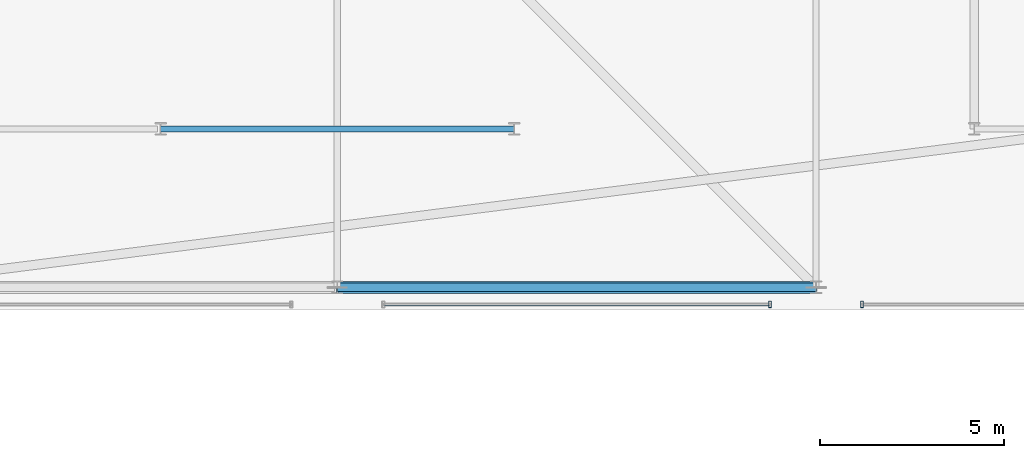
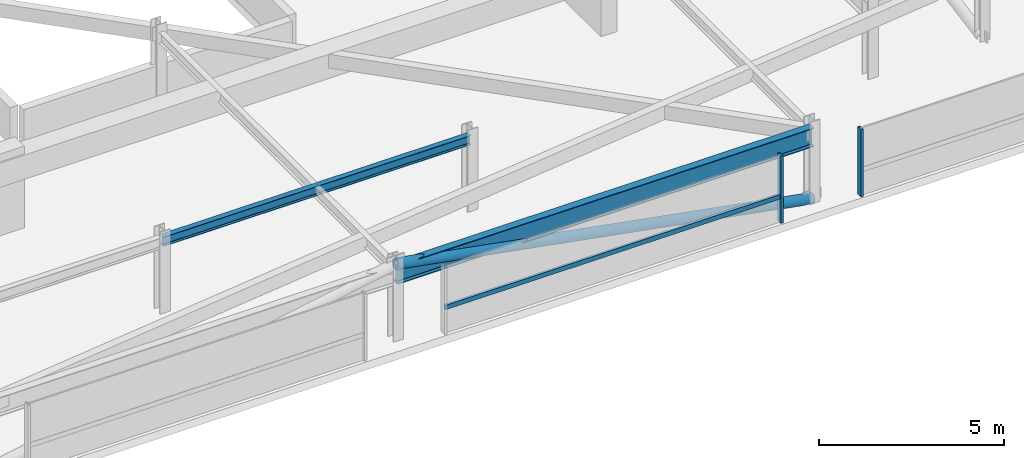
# One storey, part 29 of 42: 4 members, 2 beams, 2 elements without a shape of their own.
"""IFC4 building model written with IfcOpenShell, lengths in metres."""

import ifcopenshell
import ifcopenshell.guid

model = None  # the IFC model being written
_history = None  # IfcOwnerHistory: only IFC2X3 demands one
_inside = {}  # id of a spatial element -> (the spatial element, [elements in it])
_under = {}  # id of a project, library or spatial element -> (it, [spatial elements below it])
_declared = {}  # id of a project -> (the project, [libraries it declares])
_typed = {}  # id of a type object -> (the type object, [elements of that type])
_made_of = {}  # id of a material, layer set ... -> (it, [elements and type objects made of it])


def new_model(schema):
    """Start an empty IFC model of exactly this schema.

    Asked for "IFC4X3", IfcOpenShell would pick the latest addendum, in which some entities
    have other attributes; the version numbers below select the first issue.
    IFC2X3 requires an IfcOwnerHistory on every rooted entity: one is made here for all.
    """
    global model, _history
    if schema == "IFC4X3":
        model = ifcopenshell.file(schema_version=(4, 3, 0, 0))
    else:
        model = ifcopenshell.file(schema=schema)
    _inside.clear()
    _under.clear()
    _declared.clear()
    _typed.clear()
    _made_of.clear()
    _history = None
    if model.schema == "IFC2X3":
        org = make("IfcOrganization", Name="unknown")
        user = make(
            "IfcPersonAndOrganization",
            ThePerson=make("IfcPerson", FamilyName="unknown"),
            TheOrganization=org,
        )
        app = make(
            "IfcApplication",
            ApplicationDeveloper=org,
            Version="unknown",
            ApplicationFullName="unknown",
            ApplicationIdentifier="unknown",
        )
        _history = make(
            "IfcOwnerHistory",
            OwningUser=user,
            OwningApplication=app,
            ChangeAction="ADDED",
            CreationDate=0,
        )
    return model


def make(cls, **values):
    """One entity of the class cls with the attributes given. An attribute that is None is left unset."""
    return model.create_entity(
        cls, **{name: value for name, value in values.items() if value is not None}
    )


def rooted(cls, **values):
    """An entity with a GlobalId (a new one), such as an element, a storey or a relation."""
    return make(cls, GlobalId=ifcopenshell.guid.new(), OwnerHistory=_history, **values)


def si_unit(unit_type, name, prefix=None):
    """IfcSIUnit, for example si_unit("LENGTHUNIT", "METRE", prefix="MILLI")."""
    return make("IfcSIUnit", UnitType=unit_type, Prefix=prefix, Name=name)


def assignment(units):
    """IfcUnitAssignment: the units of a project."""
    return None if units is None else make("IfcUnitAssignment", Units=units)


def point(xyz):
    """IfcCartesianPoint."""
    return None if xyz is None else make("IfcCartesianPoint", Coordinates=xyz)


def direction(xyz):
    """IfcDirection."""
    return None if xyz is None else make("IfcDirection", DirectionRatios=xyz)


def frame(location, z_axis=None, x_axis=None):
    """IfcAxis2Placement3D, a coordinate frame: its origin and axes. An axis left out is left unset."""
    return make(
        "IfcAxis2Placement3D",
        Location=point(location),
        Axis=direction(z_axis),
        RefDirection=direction(x_axis),
    )


def frame_2d(location, x_axis=None):
    """IfcAxis2Placement2D, a coordinate frame in the plane: its origin and x axis."""
    return make(
        "IfcAxis2Placement2D", Location=point(location), RefDirection=direction(x_axis)
    )


def origin():
    """The frame at (0, 0, 0) with its axes left unset."""
    return frame((0.0, 0.0, 0.0))


def origin_2d():
    """The frame at (0, 0) in the plane with its x axis left unset."""
    return frame_2d((0.0, 0.0))


def place(relative_to, where):
    """IfcLocalPlacement: puts the frame where relative to a parent placement (None: the world)."""
    return make(
        "IfcLocalPlacement", PlacementRelTo=relative_to, RelativePlacement=where
    )


def context(
    kind, dimensions, precision=None, world=None, true_north=None, identifier=None
):
    """IfcGeometricRepresentationContext, for example the 3D "Model" context."""
    return make(
        "IfcGeometricRepresentationContext",
        ContextIdentifier=identifier,
        ContextType=kind,
        CoordinateSpaceDimension=dimensions,
        Precision=precision,
        WorldCoordinateSystem=world,
        TrueNorth=true_north,
    )


def subcontext(parent, identifier, kind, view, scale=None):
    """IfcGeometricRepresentationSubContext, for example "Body" below "Model"."""
    return make(
        "IfcGeometricRepresentationSubContext",
        ContextIdentifier=identifier,
        ContextType=kind,
        ParentContext=parent,
        TargetScale=scale,
        TargetView=view,
    )


def project(units=None, contexts=None):
    """IfcProject with its units and contexts."""
    return rooted(
        "IfcProject",
        Name="project",
        RepresentationContexts=contexts,
        UnitsInContext=assignment(units),
    )


def spatial(cls, under=None, at=None, **own):
    """A site, building, storey or space (cls), placed at a placement, below another one or the project."""
    s = rooted(cls, ObjectPlacement=at, **own)
    if under is not None:
        _under.setdefault(under.id(), (under, []))[1].append(s)
    return s


def profile(cls, at=None, kind="AREA", **sizes):
    """A parametric profile (cls). Its sizes go by their IFC names, for example OverallWidth=200.0."""
    return make(cls, ProfileType=kind, Position=at, **sizes)


def hollow_rectangle(**sizes):
    """IfcRectangleHollowProfileDef."""
    return profile("IfcRectangleHollowProfileDef", **sizes)


def hollow_circle(**sizes):
    """IfcCircleHollowProfileDef."""
    return profile("IfcCircleHollowProfileDef", **sizes)


def i_section(**sizes):
    """IfcIShapeProfileDef."""
    return profile("IfcIShapeProfileDef", **sizes)


def extrude(swept, where, along, depth):
    """IfcExtrudedAreaSolid: the profile swept, set in the frame where, extruded along a direction by depth."""
    return make(
        "IfcExtrudedAreaSolid",
        SweptArea=swept,
        Position=where,
        ExtrudedDirection=direction(along),
        Depth=depth,
    )


def shape(context_of_items, identifier, shape_type, items):
    """IfcShapeRepresentation: the items that make up one representation, for example the "Body"."""
    return make(
        "IfcShapeRepresentation",
        ContextOfItems=context_of_items,
        RepresentationIdentifier=identifier,
        RepresentationType=shape_type,
        Items=items,
    )


def material(Name=None, Category=None):
    """IfcMaterial."""
    return make("IfcMaterial", Name=Name, Category=Category)


def material_profile(
    of_material, cross_section, Name=None, Category=None, Priority=None
):
    """IfcMaterialProfile: a cross section and its material."""
    return make(
        "IfcMaterialProfile",
        Name=Name,
        Material=of_material,
        Profile=cross_section,
        Priority=Priority,
        Category=Category,
    )


def profile_set(profiles, Name=None, composite=None):
    """IfcMaterialProfileSet."""
    return make(
        "IfcMaterialProfileSet",
        Name=Name,
        MaterialProfiles=profiles,
        CompositeProfile=composite,
    )


def made_of(thing, what):
    """Note that an element or type object is made of a material, layer set ...; save() writes the relation."""
    if what is not None:
        _made_of.setdefault(what.id(), (what, []))[1].append(thing)
    return thing


def type_object(cls, material=None, **own):
    """A type object (cls), such as IfcWallType, which elements share."""
    return made_of(rooted(cls, **own), material)


def element(
    cls,
    number,
    at=None,
    inside=None,
    cuts=None,
    type_object=None,
    material=None,
    context=None,
    identifier="Body",
    shape_type=None,
    held_by="IfcProductDefinitionShape",
    body=None,
    shapes=None,
    **own,
):
    """One element of the class cls, such as IfcWall. Its Tag is "e" and its number.

    at: its placement. inside: the storey or other place that contains it. cuts: it is an
    opening in that element (IfcRelVoidsElement). A single representation is given by context,
    identifier, shape_type and body (its items); several are given by shapes. held_by: the class
    of the entity that holds the representations. save() writes the other relations.
    """
    e = rooted(cls, Tag="e%d" % number, ObjectPlacement=at, **own)
    if body is not None:
        shapes = [shape(context, identifier, shape_type, body)]
    if shapes is not None:
        e.Representation = make(held_by, Representations=shapes)
    if inside is not None:
        _inside.setdefault(inside.id(), (inside, []))[1].append(e)
    if cuts is not None:
        rooted(
            "IfcRelVoidsElement", RelatingBuildingElement=cuts, RelatedOpeningElement=e
        )
    if type_object is not None:
        _typed.setdefault(type_object.id(), (type_object, []))[1].append(e)
    return made_of(e, material)


def aggregate(whole, parts):
    """IfcRelAggregates: a whole, such as a stair, and the parts it consists of."""
    return rooted("IfcRelAggregates", RelatingObject=whole, RelatedObjects=parts)


def save(model, path):
    """Write the relations noted so far, then the file.

    IfcRelAggregates (storeys below a building ...), IfcRelContainedInSpatialStructure (elements
    in a storey), IfcRelDefinesByType, IfcRelAssociatesMaterial and IfcRelDeclares: one each for
    every whole, place, type object, material and project.
    """
    for whole, parts in _under.values():
        aggregate(whole, parts)
    for where, things in _inside.values():
        rooted(
            "IfcRelContainedInSpatialStructure",
            RelatedElements=things,
            RelatingStructure=where,
        )
    for kind, things in _typed.values():
        rooted("IfcRelDefinesByType", RelatedObjects=things, RelatingType=kind)
    for what, things in _made_of.values():
        rooted("IfcRelAssociatesMaterial", RelatedObjects=things, RelatingMaterial=what)
    for by, libraries in _declared.values():
        rooted("IfcRelDeclares", RelatingContext=by, RelatedDefinitions=libraries)
    model.write(path)


model = new_model("IFC4")

# Units and contexts
model_context = context("Model", 3, precision=1e-05, world=origin(), true_north=direction((0.0, 1.0)))
body_context = subcontext(model_context, "Body", "Model", "MODEL_VIEW")
ifc_project = project(units=[si_unit("LENGTHUNIT", "METRE"), si_unit("AREAUNIT", "SQUARE_METRE"), si_unit("VOLUMEUNIT", "CUBIC_METRE"), si_unit("PLANEANGLEUNIT", "RADIAN"), si_unit("MASSUNIT", "GRAM", prefix="KILO")], contexts=[model_context])

# Site, building, storey
site_placement = place(None, origin())
site = spatial("IfcSite", under=ifc_project, at=site_placement, CompositionType="ELEMENT")
building_placement = place(site_placement, origin())
building = spatial("IfcBuilding", under=site, at=building_placement, Name="Thornwick Lancets Civic Towers", CompositionType="ELEMENT")
storey_placement = place(building_placement, frame((0.0, 0.0, 284.10009765625)))
storey = spatial("IfcBuildingStorey", under=building, at=storey_placement, Name="C02", CompositionType="ELEMENT", Elevation=284.10009765625)

# Beams
ifc_material_1 = material(Name="Steel S355JR", Category="steel")
ifc_material_profile_1 = material_profile(ifc_material_1, i_section(OverallWidth=0.230224609375, OverallDepth=0.6171875, WebThickness=0.01318359375, FlangeThickness=0.022216796875, FilletRadius=0.0126953125, at=origin_2d()), Name="UKB 610x229x140")
ifc_profile_set_1 = profile_set([ifc_material_profile_1], Name="Steel S355JR")
beam_type_1 = type_object("IfcBeamType", Name="BM_GIRD_610_140", PredefinedType="BEAM", material=ifc_profile_set_1)
beam_1_placement = place(storey_placement, frame((101.5, 9.699951171875, 2.13134765625), z_axis=(-1.0, 0.0, 0.0), x_axis=(0.0, -1.0, 0.0)))
element("IfcBeam", 1, at=beam_1_placement, inside=storey, type_object=beam_type_1, Name="BM-SPINE-C02-B-9-10", PredefinedType="BEAM", context=body_context, shape_type="SweptSolid", body=[
    extrude(i_section(OverallWidth=0.230224609375, OverallDepth=0.6171875, WebThickness=0.01318359375, FlangeThickness=0.022216796875, FilletRadius=0.0126953125, at=origin_2d()), origin(), (0.0, 0.0, 1.0), 13.0),
])
ifc_material_profile_2 = material_profile(ifc_material_1, i_section(OverallWidth=0.1669921875, OverallDepth=0.310302734375, WebThickness=0.0078125, FlangeThickness=0.013671875, FilletRadius=0.0087890625, at=origin_2d()), Name="UKB 305x165x54")
ifc_profile_set_2 = profile_set([ifc_material_profile_2], Name="Steel S355JR")
beam_type_2 = type_object("IfcBeamType", Name="BM_LINTEL_305_54", PredefinedType="LINTEL", material=ifc_profile_set_2)
beam_2_placement = place(storey_placement, frame((93.300048828125, 14.0, 2.28466796875), z_axis=(-1.0, 0.0, 0.0), x_axis=(0.0, -1.0, 0.0)))
element("IfcBeam", 2, at=beam_2_placement, inside=storey, type_object=beam_type_2, Name="BM-INSP-C02-B-0-2", PredefinedType="LINTEL", context=body_context, shape_type="SweptSolid", body=[
    extrude(i_section(OverallWidth=0.1669921875, OverallDepth=0.310302734375, WebThickness=0.0078125, FlangeThickness=0.013671875, FilletRadius=0.0087890625, at=origin_2d()), origin(), (0.0, 0.0, 1.0), 9.60009765625),
])

# Curtain wall, member
ifc_material_2 = material(Name="Crown ring acoustic-louvre and glazing screen wall", Category="glass")
curtain_wall_type = type_object("IfcCurtainWallType", Name="CW_SYS_07", PredefinedType="NOTDEFINED", material=ifc_material_2)
curtain_wall_1_placement = place(storey_placement, origin())
curtain_wall_1 = element("IfcCurtainWall", 3, at=curtain_wall_1_placement, inside=storey, type_object=curtain_wall_type, Name="C02 Curtain Wall CW-C02-B-E0-S2", PredefinedType="NOTDEFINED")
ifc_material_3 = material(Name="Thermally broken bronze aluminium S355", Category="steel")
ifc_material_profile_3 = material_profile(ifc_material_3, hollow_rectangle(XDim=0.074951171875, YDim=0.179931640625, WallThickness=0.006103515625, at=origin_2d()), Name="RHS 180x75x6")
ifc_profile_set_3 = profile_set([ifc_material_profile_3], Name="Thermally broken bronze aluminium S355")
member_type_1 = type_object("IfcMemberType", Name="CW_MUL_180", PredefinedType="MULLION", material=ifc_profile_set_3)
member_1_placement = place(storey_placement, frame((100.25, 9.2353515625, 0.0), z_axis=(0.0, 0.0, 1.0), x_axis=(1.0, 0.0, 0.0)))
member_1 = element("IfcMember", 4, at=member_1_placement, type_object=member_type_1, Name="CW-C02-B-E0-S2 Mullion 1", PredefinedType="MULLION", context=body_context, shape_type="SweptSolid", body=[
    extrude(hollow_rectangle(XDim=0.074951171875, YDim=0.179931640625, WallThickness=0.006103515625, at=origin_2d()), origin(), (0.0, 0.0, 1.0), 2.219970703125),
])

curtain_wall_2_placement = place(storey_placement, origin())
curtain_wall_2 = element("IfcCurtainWall", 5, at=curtain_wall_2_placement, inside=storey, type_object=curtain_wall_type, Name="C02 Curtain Wall CW-C02-B-E0-S3", PredefinedType="NOTDEFINED")
member_2_placement = place(storey_placement, frame((102.75, 9.2353515625, 0.0), z_axis=(0.0, 0.0, 1.0), x_axis=(1.0, 0.0, 0.0)))
member_2 = element("IfcMember", 6, at=member_2_placement, type_object=member_type_1, Name="CW-C02-B-E0-S3 Mullion 0", PredefinedType="MULLION", context=body_context, shape_type="SweptSolid", body=[
    extrude(hollow_rectangle(XDim=0.074951171875, YDim=0.179931640625, WallThickness=0.006103515625, at=origin_2d()), origin(), (0.0, 0.0, 1.0), 2.219970703125),
])
aggregate(curtain_wall_2, [member_2])

# Member
ifc_material_profile_4 = material_profile(ifc_material_3, hollow_rectangle(XDim=0.074951171875, YDim=0.14990234375, WallThickness=0.0048828125, at=origin_2d()), Name="RHS 150x75x5")
ifc_profile_set_4 = profile_set([ifc_material_profile_4], Name="Thermally broken bronze aluminium S355")
member_type_2 = type_object("IfcMemberType", Name="CW_TRN_150", PredefinedType="USERDEFINED", material=ifc_profile_set_4)
member_3_placement = place(storey_placement, frame((89.77001953125, 9.2353515625, 0.849853515625), z_axis=(1.0, 0.0, 0.0), x_axis=(0.0, 1.0, 0.0)))
member_3 = element("IfcMember", 7, at=member_3_placement, type_object=member_type_2, Name="CW-C02-B-E0-S2 Transom 0", ObjectType="TRANSOM", PredefinedType="USERDEFINED", context=body_context, shape_type="SweptSolid", body=[
    extrude(hollow_rectangle(XDim=0.074951171875, YDim=0.14990234375, WallThickness=0.0048828125, at=origin_2d()), origin(), (0.0, 0.0, 1.0), 10.4599609375),
])

aggregate(curtain_wall_1, [member_1, member_3])

ifc_material_profile_5 = material_profile(ifc_material_1, hollow_circle(Radius=0.161865234375, WallThickness=0.01611328125, at=origin_2d()), Name="CHS 323.9x16")
ifc_profile_set_5 = profile_set([ifc_material_profile_5], Name="Steel S355JR")
member_type_3 = type_object("IfcMemberType", Name="MEM_CROWN_CHS324", PredefinedType="BRACE", material=ifc_profile_set_5)
member_4_placement = place(storey_placement, frame((101.5, 9.699951171875, 0.0498046875), z_axis=(-0.983515136313, 0.0, 0.180825818519), x_axis=(0.0, -1.0, 0.0)))
element("IfcMember", 8, at=member_4_placement, inside=storey, type_object=member_type_3, Name="C02 Crown Ring Lancet Rib B-S3-L", PredefinedType="BRACE", context=body_context, shape_type="SweptSolid", body=[
    extrude(hollow_circle(Radius=0.161865234375, WallThickness=0.01611328125, at=origin_2d()), origin(), (0.0, 0.0, 1.0), 13.2177734375),
])

save(model, "model.ifc")
